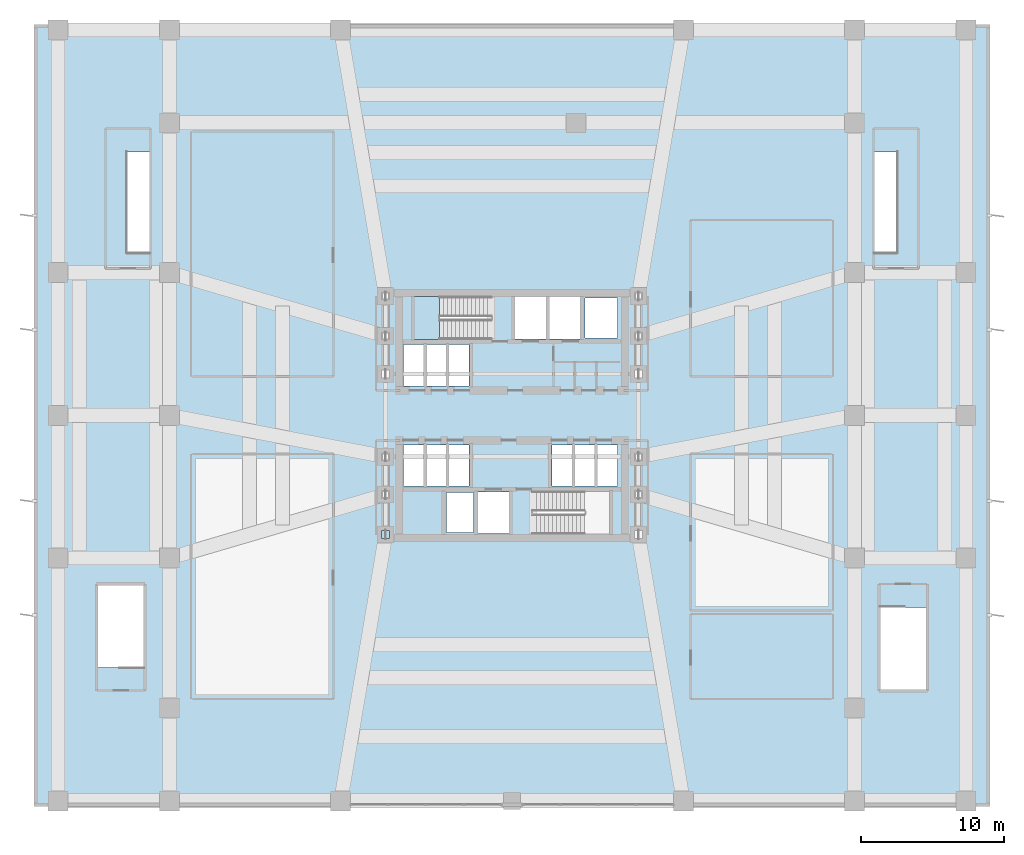
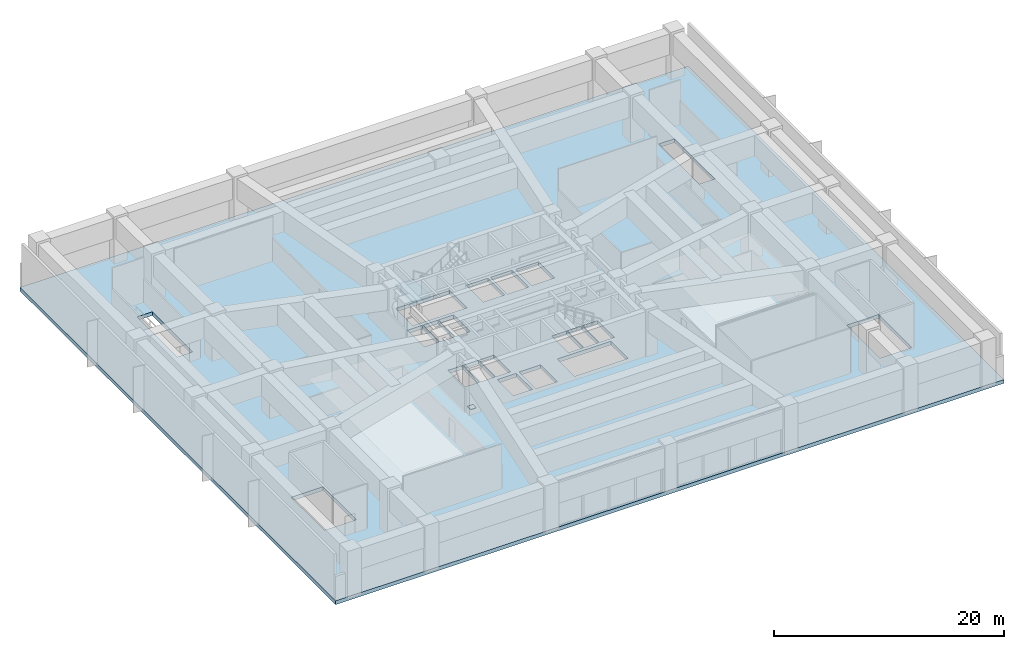
# One storey, part 6 of 14: 2 slabs, 1 plate, 1 element without a shape of its own.
"""IFC4 building model written with IfcOpenShell, lengths in metres."""

from ifc_helpers import new_model, si_unit, direction, frame, origin, origin_2d, place, context, subcontext, project, spatial, polyline, rectangle, outline, extrude, material, layer, layer_set, type_object, element, aggregate, save


model = new_model("IFC4")

# Units and contexts
model_context = context("Model", 3, precision=1e-05, world=origin(), true_north=direction((0.0, 1.0)))
body_context = subcontext(model_context, "Body", "Model", "MODEL_VIEW")
ifc_project = project(units=[si_unit("LENGTHUNIT", "METRE"), si_unit("AREAUNIT", "SQUARE_METRE"), si_unit("VOLUMEUNIT", "CUBIC_METRE"), si_unit("PLANEANGLEUNIT", "RADIAN"), si_unit("MASSUNIT", "GRAM", prefix="KILO")], contexts=[model_context])

# Site, building, storey
site_placement = place(None, origin())
site = spatial("IfcSite", under=ifc_project, at=site_placement, CompositionType="ELEMENT")
building_placement = place(site_placement, origin())
building = spatial("IfcBuilding", under=site, at=building_placement, Name="Solmarez Civic Tower", CompositionType="ELEMENT")
storey_placement = place(building_placement, frame((0.0, 0.0, 19.43994140625)))
storey = spatial("IfcBuildingStorey", under=building, at=storey_placement, Name="L04", CompositionType="ELEMENT", Elevation=19.43994140625)

# Plate
ifc_material_1 = material(Name="Steel S355", Category="steel")
ifc_layer_1 = layer(ifc_material_1, 0.028076171875)
ifc_layer_set_1 = layer_set([ifc_layer_1], Name="Steel S355")
plate_type = type_object("IfcPlateType", Name="PLT-CAP-540", PredefinedType="USERDEFINED", material=ifc_layer_set_1)
plate_placement = place(storey_placement, frame((-8.85009765625, -8.35009765625, 0.3359375), z_axis=(0.0, 0.0, 1.0), x_axis=(1.0, 0.0, 0.0)))
element("IfcPlate", 1, at=plate_placement, inside=storey, type_object=plate_type, Name="Steel Member End Cap Plate CAP-CHD-L04-01-0", ObjectType="CAP_PLATE", PredefinedType="USERDEFINED", context=body_context, shape_type="SweptSolid", body=[
    extrude(rectangle(XDim=0.56005859375, YDim=0.56005859375, at=origin_2d()), origin(), (0.0, 0.0, 1.0), 0.028076171875),
])

# Stair, slab
ifc_material_2 = material(Name="Concrete C50/60", Category="concrete")
stair_type = type_object("IfcStairType", Name="STAIR-DOGLEG-140W-28R-1800", PredefinedType="HALF_TURN_STAIR", material=ifc_material_2)
stair_placement = place(storey_placement, origin())
stair = element("IfcStair", 2, at=stair_placement, inside=storey, type_object=stair_type, Name="L04 North Core Protected Exit Stair ST-1", PredefinedType="HALF_TURN_STAIR")
ifc_layer_2 = layer(ifc_material_2, 0.199951171875)
ifc_layer_set_2 = layer_set([ifc_layer_2], Name="Concrete C50/60")
slab_type_1 = type_object("IfcSlabType", Name="SLAB-LANDING-200", PredefinedType="LANDING", material=ifc_layer_set_2)
slab_1_placement = place(storey_placement, frame((0.0, 0.0, 2.320068359375)))
slab_1 = element("IfcSlab", 3, at=slab_1_placement, type_object=slab_type_1, Name="ST-1 landing 1", PredefinedType="LANDING", context=body_context, shape_type="SweptSolid", body=[
    extrude(outline(polyline([(-5.090087890625, 8.320068359375), (-6.85009765625, 8.320068359375), (-6.85009765625, 5.320068359375), (-5.090087890625, 5.320068359375), (-5.090087890625, 8.320068359375)])), origin(), (0.0, 0.0, 1.0), 0.199951171875),
])
aggregate(stair, [slab_1])

# Slab
ifc_material_3 = material(Name="Concrete C60/75", Category="concrete")
ifc_layer_3 = layer(ifc_material_3, 0.39990234375)
ifc_layer_set_3 = layer_set([ifc_layer_3], Name="Concrete C60/75")
slab_type_2 = type_object("IfcSlabType", Name="SLAB-TRANS-400", PredefinedType="FLOOR", material=ifc_layer_set_3)
slab_2_placement = place(storey_placement, frame((0.0, 0.0, -0.39990234375)))
element("IfcSlab", 4, at=slab_2_placement, inside=storey, type_object=slab_type_2, Name="L04 Structural Slab", PredefinedType="FLOOR", context=body_context, shape_type="SweptSolid", body=[
    extrude(outline(polyline([(33.5, -27.39990234375), (33.5, 27.39990234375), (-33.5, 27.39990234375), (-33.5, -27.39990234375), (33.5, -27.39990234375)]), holes=[polyline([(-1.449951171875, 8.320068359375), (-6.85009765625, 8.320068359375), (-6.85009765625, 5.320068359375), (-1.449951171875, 5.320068359375), (-1.449951171875, 8.320068359375)]), polyline([(1.449951171875, -8.320068359375), (6.85009765625, -8.320068359375), (6.85009765625, -5.320068359375), (1.449951171875, -5.320068359375), (1.449951171875, -8.320068359375)]), polyline([(-25.800048828125, -17.64990234375), (-25.800048828125, -11.89990234375), (-29.0, -11.89990234375), (-29.0, -17.64990234375), (-25.800048828125, -17.64990234375)]), polyline([(25.800048828125, -13.449951171875), (25.800048828125, -19.199951171875), (29.0, -19.199951171875), (29.0, -13.449951171875), (25.800048828125, -13.449951171875)]), polyline([(0.219970703125, 5.360107421875), (2.3798828125, 5.360107421875), (2.3798828125, 8.280029296875), (0.219970703125, 8.280029296875), (0.219970703125, 5.360107421875)]), polyline([(2.6201171875, 5.360107421875), (4.780029296875, 5.360107421875), (4.780029296875, 8.280029296875), (2.6201171875, 8.280029296875), (2.6201171875, 5.360107421875)]), polyline([(-2.3798828125, -8.280029296875), (-0.219970703125, -8.280029296875), (-0.219970703125, -5.360107421875), (-2.3798828125, -5.360107421875), (-2.3798828125, -8.280029296875)]), polyline([(2.800048828125, -4.9599609375), (4.280029296875, -4.9599609375), (4.280029296875, -2.06005859375), (2.800048828125, -2.06005859375), (2.800048828125, -4.9599609375)]), polyline([(4.360107421875, -4.9599609375), (5.840087890625, -4.9599609375), (5.840087890625, -2.06005859375), (4.360107421875, -2.06005859375), (4.360107421875, -4.9599609375)]), polyline([(5.919921875, -4.9599609375), (7.39990234375, -4.9599609375), (7.39990234375, -2.06005859375), (5.919921875, -2.06005859375), (5.919921875, -4.9599609375)]), polyline([(-7.60009765625, -4.9599609375), (-6.1201171875, -4.9599609375), (-6.1201171875, -2.06005859375), (-7.60009765625, -2.06005859375), (-7.60009765625, -4.9599609375)]), polyline([(-6.0400390625, -4.9599609375), (-4.56005859375, -4.9599609375), (-4.56005859375, -2.06005859375), (-6.0400390625, -2.06005859375), (-6.0400390625, -4.9599609375)]), polyline([(-4.47998046875, -4.9599609375), (-3.0, -4.9599609375), (-3.0, -2.06005859375), (-4.47998046875, -2.06005859375), (-4.47998046875, -4.9599609375)]), polyline([(-7.60009765625, 2.06005859375), (-6.1201171875, 2.06005859375), (-6.1201171875, 4.9599609375), (-7.60009765625, 4.9599609375), (-7.60009765625, 2.06005859375)]), polyline([(-6.0400390625, 2.06005859375), (-4.56005859375, 2.06005859375), (-4.56005859375, 4.9599609375), (-6.0400390625, 4.9599609375), (-6.0400390625, 2.06005859375)]), polyline([(-4.47998046875, 2.06005859375), (-3.0, 2.06005859375), (-3.0, 4.9599609375), (-4.47998046875, 4.9599609375), (-4.47998046875, 2.06005859375)]), polyline([(5.10009765625, 5.419921875), (7.39990234375, 5.419921875), (7.39990234375, 8.219970703125), (5.10009765625, 8.219970703125), (5.10009765625, 5.419921875)]), polyline([(-4.60009765625, -8.219970703125), (-2.699951171875, -8.219970703125), (-2.699951171875, -5.419921875), (-4.60009765625, -5.419921875), (-4.60009765625, -8.219970703125)]), polyline([(-26.949951171875, 11.449951171875), (-25.39990234375, 11.449951171875), (-25.39990234375, 18.449951171875), (-26.949951171875, 18.449951171875), (-26.949951171875, 11.449951171875)]), polyline([(25.39990234375, 11.449951171875), (26.949951171875, 11.449951171875), (26.949951171875, 18.449951171875), (25.39990234375, 18.449951171875), (25.39990234375, 11.449951171875)])]), origin(), (0.0, 0.0, 1.0), 0.39990234375),
])

save(model, "model.ifc")
